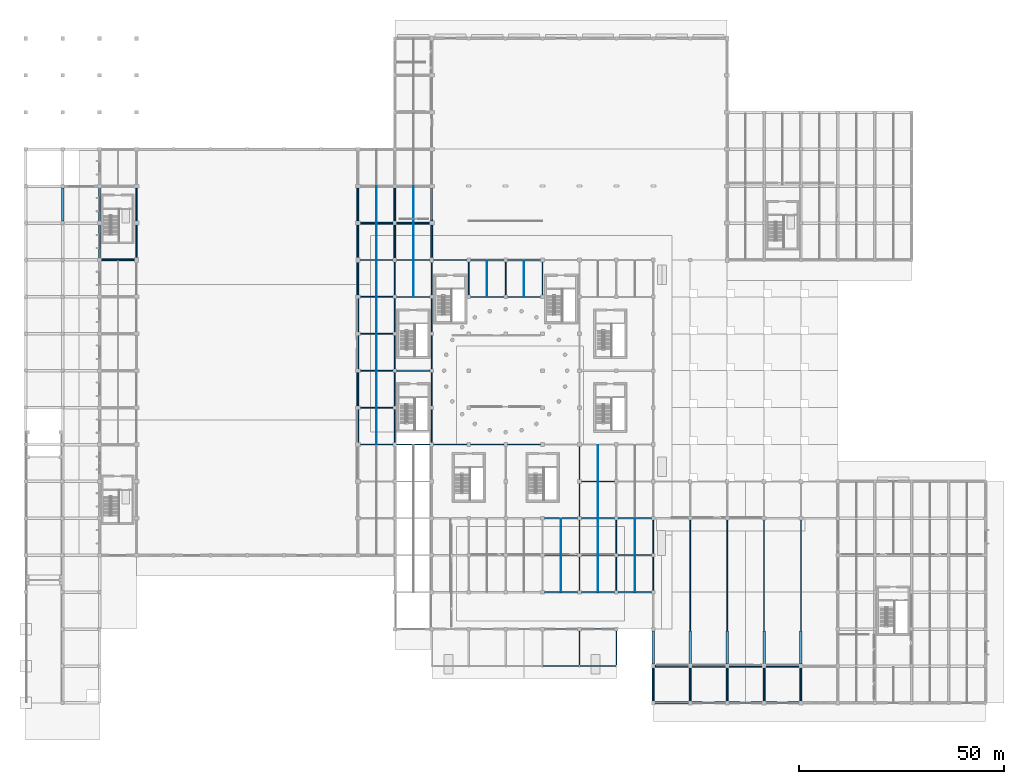
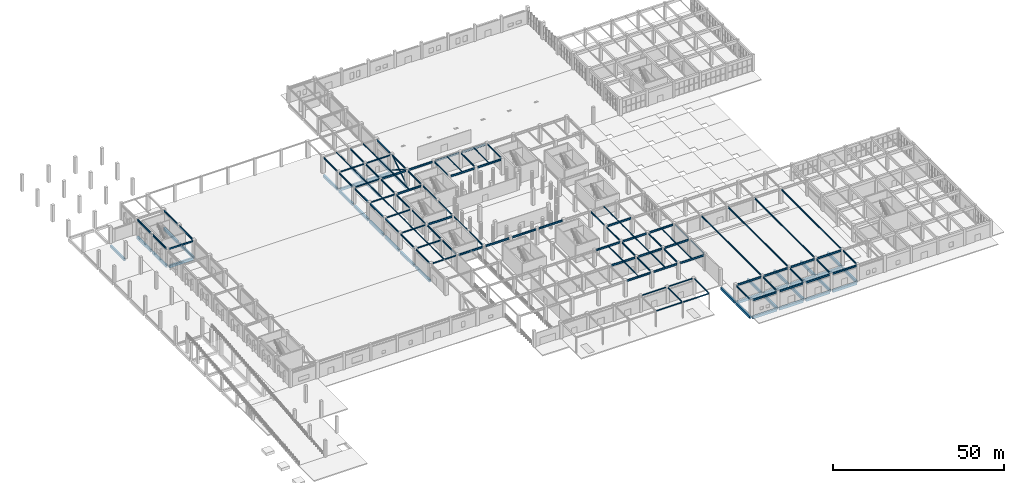
# One storey, part 8 of 91: 147 beams, 2 members.
"""IFC4 building model written with IfcOpenShell, lengths in metres."""

from ifc_helpers import new_model, si_unit, direction, frame, origin, origin_2d, place, context, subcontext, project, spatial, rectangle, hollow_circle, i_section, extrude, material, material_profile, profile_set, type_object, element, save


model = new_model("IFC4")

# Units and contexts
model_context = context("Model", 3, precision=1e-05, world=origin(), true_north=direction((0.0, 1.0)))
body_context = subcontext(model_context, "Body", "Model", "MODEL_VIEW")
ifc_project = project(units=[si_unit("LENGTHUNIT", "METRE"), si_unit("AREAUNIT", "SQUARE_METRE"), si_unit("VOLUMEUNIT", "CUBIC_METRE"), si_unit("PLANEANGLEUNIT", "RADIAN"), si_unit("MASSUNIT", "GRAM", prefix="KILO")], contexts=[model_context])

# Site, building, storey
site_placement = place(None, origin())
site = spatial("IfcSite", under=ifc_project, at=site_placement, CompositionType="ELEMENT")
building_placement = place(site_placement, origin())
building = spatial("IfcBuilding", under=site, at=building_placement, Name="Dornveld Trade and Exhibition Forum", CompositionType="ELEMENT")
storey_placement = place(building_placement, origin())
storey = spatial("IfcBuildingStorey", under=building, at=storey_placement, Name="L00", CompositionType="ELEMENT", Elevation=0.0)

# Beams
ifc_material_1 = material(Name="Steel S355J2", Category="steel")
ifc_material_profile_1 = material_profile(ifc_material_1, i_section(OverallWidth=0.300048828125, OverallDepth=0.300048828125, WebThickness=0.010986328125, FlangeThickness=0.01904296875, FilletRadius=0.027099609375, at=origin_2d()), Name="HEB 300")
ifc_profile_set_1 = profile_set([ifc_material_profile_1], Name="Steel S355J2")
beam_type_1 = type_object("IfcBeamType", Name="BM-CAN-HEB300", PredefinedType="BEAM", material=ifc_profile_set_1)
for number, where, z_axis, x_axis, name in (
    (1, (126.14599609375, 9.0, 5.6298828125), (1.0, 0.0, 0.0), (0.0, 1.0, 0.0), "L00 X-girder 1061"),
    (2, (135.14599609375, 9.0, 5.6298828125), (1.0, 0.0, 0.0), (0.0, 1.0, 0.0), "L00 X-girder 1062"),
):
    element("IfcBeam", number, at=place(storey_placement, frame(where, z_axis=z_axis, x_axis=x_axis)), inside=storey, type_object=beam_type_1, Name=name, PredefinedType="BEAM", context=body_context, shape_type="SweptSolid", body=[
        extrude(i_section(OverallWidth=0.300048828125, OverallDepth=0.300048828125, WebThickness=0.010986328125, FlangeThickness=0.01904296875, FilletRadius=0.027099609375, at=origin_2d()), origin(), (0.0, 0.0, 1.0), 8.7080078125),
    ])
for number, where, z_axis, x_axis, name in (
    (3, (126.446044921875, 18.0, 5.6298828125), (1.0, 0.0, 0.0), (0.0, 1.0, 0.0), "L00 X-girder 1066"),
    (4, (135.446044921875, 18.0, 5.6298828125), (1.0, 0.0, 0.0), (0.0, 1.0, 0.0), "L00 X-girder 1067"),
):
    element("IfcBeam", number, at=place(storey_placement, frame(where, z_axis=z_axis, x_axis=x_axis)), inside=storey, type_object=beam_type_1, Name=name, PredefinedType="BEAM", context=body_context, shape_type="SweptSolid", body=[
        extrude(i_section(OverallWidth=0.300048828125, OverallDepth=0.300048828125, WebThickness=0.010986328125, FlangeThickness=0.01904296875, FilletRadius=0.027099609375, at=origin_2d()), origin(), (0.0, 0.0, 1.0), 8.10791015625),
    ])
for number, where, z_axis, x_axis, name in (
    (5, (135.0, 9.196044921875, 5.6298828125), (0.0, 1.0, 0.0), (-1.0, 0.0, 0.0), "L00 Y-girder 1072"),
    (6, (144.0, 9.196044921875, 5.6298828125), (0.0, 1.0, 0.0), (-1.0, 0.0, 0.0), "L00 Y-girder 1073"),
):
    element("IfcBeam", number, at=place(storey_placement, frame(where, z_axis=z_axis, x_axis=x_axis)), inside=storey, type_object=beam_type_1, Name=name, PredefinedType="BEAM", context=body_context, shape_type="SweptSolid", body=[
        extrude(i_section(OverallWidth=0.300048828125, OverallDepth=0.300048828125, WebThickness=0.010986328125, FlangeThickness=0.01904296875, FilletRadius=0.027099609375, at=origin_2d()), origin(), (0.0, 0.0, 1.0), 8.35791015625),
    ])
ifc_material_2 = material(Name="Concrete C40/50", Category="concrete")
ifc_material_profile_2 = material_profile(ifc_material_2, rectangle(XDim=0.60009765625, YDim=0.89990234375, at=origin_2d()), Name="RC-GB 600x900")
ifc_profile_set_2 = profile_set([ifc_material_profile_2], Name="Concrete C40/50")
beam_type_2 = type_object("IfcBeamType", Name="BM-GB-600x900", PredefinedType="BEAM", material=ifc_profile_set_2)
for number, where, z_axis, x_axis, name in (
    (7, (18.446044921875, 108.0, -0.830078125), (1.0, 0.0, 0.0), (0.0, 1.0, 0.0), "L00 X-girder 405"),
    (8, (81.446044921875, 117.0, -0.830078125), (1.0, 0.0, 0.0), (0.0, 1.0, 0.0), "L00 X-girder 409"),
    (9, (9.0, 117.446044921875, -0.830078125), (0.0, 1.0, 0.0), (-1.0, 0.0, 0.0), "L00 Y-girder 439"),
    (10, (18.0, 108.446044921875, -0.830078125), (0.0, 1.0, 0.0), (-1.0, 0.0, 0.0), "L00 Y-girder 449"),
    (11, (18.0, 117.446044921875, -0.830078125), (0.0, 1.0, 0.0), (-1.0, 0.0, 0.0), "L00 Y-girder 450"),
    (12, (27.0, 108.446044921875, -0.830078125), (0.0, 1.0, 0.0), (-1.0, 0.0, 0.0), "L00 Y-girder 460"),
    (13, (27.0, 117.446044921875, -0.830078125), (0.0, 1.0, 0.0), (-1.0, 0.0, 0.0), "L00 Y-girder 461"),
    (14, (81.0, 63.446044921875, -0.830078125), (0.0, 1.0, 0.0), (-1.0, 0.0, 0.0), "L00 Y-girder 466"),
    (15, (81.0, 72.446044921875, -0.830078125), (0.0, 1.0, 0.0), (-1.0, 0.0, 0.0), "L00 Y-girder 467"),
    (16, (81.0, 81.446044921875, -0.830078125), (0.0, 1.0, 0.0), (-1.0, 0.0, 0.0), "L00 Y-girder 468"),
    (17, (81.0, 90.446044921875, -0.830078125), (0.0, 1.0, 0.0), (-1.0, 0.0, 0.0), "L00 Y-girder 469"),
    (18, (81.0, 99.446044921875, -0.830078125), (0.0, 1.0, 0.0), (-1.0, 0.0, 0.0), "L00 Y-girder 470"),
    (19, (81.0, 108.446044921875, -0.830078125), (0.0, 1.0, 0.0), (-1.0, 0.0, 0.0), "L00 Y-girder 471"),
    (20, (81.0, 117.446044921875, -0.830078125), (0.0, 1.0, 0.0), (-1.0, 0.0, 0.0), "L00 Y-girder 472"),
    (21, (90.0, 108.446044921875, -0.830078125), (0.0, 1.0, 0.0), (-1.0, 0.0, 0.0), "L00 Y-girder 482"),
    (22, (90.0, 117.446044921875, -0.830078125), (0.0, 1.0, 0.0), (-1.0, 0.0, 0.0), "L00 Y-girder 483"),
    (23, (90.446044921875, 117.0, -0.830078125), (1.0, 0.0, 0.0), (0.0, 1.0, 0.0), "L00 X-girder 494"),
    (24, (99.0, 108.446044921875, -0.830078125), (0.0, 1.0, 0.0), (-1.0, 0.0, 0.0), "L00 Y-girder 511"),
    (25, (99.0, 117.446044921875, -0.830078125), (0.0, 1.0, 0.0), (-1.0, 0.0, 0.0), "L00 Y-girder 512"),
    (26, (153.446044921875, 0.0, -0.830078125), (1.0, 0.0, 0.0), (0.0, 1.0, 0.0), "L00 X-girder 567"),
    (27, (162.446044921875, 0.0, -0.830078125), (1.0, 0.0, 0.0), (0.0, 1.0, 0.0), "L00 X-girder 568"),
    (28, (171.446044921875, 0.0, -0.830078125), (1.0, 0.0, 0.0), (0.0, 1.0, 0.0), "L00 X-girder 569"),
    (29, (180.446044921875, 0.0, -0.830078125), (1.0, 0.0, 0.0), (0.0, 1.0, 0.0), "L00 X-girder 570"),
    (30, (153.446044921875, 9.0, -0.830078125), (1.0, 0.0, 0.0), (0.0, 1.0, 0.0), "L00 X-girder 576"),
    (31, (162.446044921875, 9.0, -0.830078125), (1.0, 0.0, 0.0), (0.0, 1.0, 0.0), "L00 X-girder 577"),
    (32, (171.446044921875, 9.0, -0.830078125), (1.0, 0.0, 0.0), (0.0, 1.0, 0.0), "L00 X-girder 578"),
    (33, (180.446044921875, 9.0, -0.830078125), (1.0, 0.0, 0.0), (0.0, 1.0, 0.0), "L00 X-girder 579"),
    (34, (153.0, 0.446044921875, -0.830078125), (0.0, 1.0, 0.0), (-1.0, 0.0, 0.0), "L00 Y-girder 611"),
    (35, (153.0, 9.446044921875, -0.830078125), (0.0, 1.0, 0.0), (-1.0, 0.0, 0.0), "L00 Y-girder 612"),
    (36, (162.0, 0.446044921875, -0.830078125), (0.0, 1.0, 0.0), (-1.0, 0.0, 0.0), "L00 Y-girder 615"),
    (37, (162.0, 9.446044921875, -0.830078125), (0.0, 1.0, 0.0), (-1.0, 0.0, 0.0), "L00 Y-girder 616"),
    (38, (171.0, 0.446044921875, -0.830078125), (0.0, 1.0, 0.0), (-1.0, 0.0, 0.0), "L00 Y-girder 619"),
    (39, (171.0, 9.446044921875, -0.830078125), (0.0, 1.0, 0.0), (-1.0, 0.0, 0.0), "L00 Y-girder 620"),
    (40, (180.0, 0.446044921875, -0.830078125), (0.0, 1.0, 0.0), (-1.0, 0.0, 0.0), "L00 Y-girder 623"),
    (41, (180.0, 9.446044921875, -0.830078125), (0.0, 1.0, 0.0), (-1.0, 0.0, 0.0), "L00 Y-girder 624"),
    (42, (189.0, 0.446044921875, -0.830078125), (0.0, 1.0, 0.0), (-1.0, 0.0, 0.0), "L00 Y-girder 627"),
    (43, (189.0, 9.446044921875, -0.830078125), (0.0, 1.0, 0.0), (-1.0, 0.0, 0.0), "L00 Y-girder 628"),
):
    element("IfcBeam", number, at=place(storey_placement, frame(where, z_axis=z_axis, x_axis=x_axis)), inside=storey, type_object=beam_type_2, Name=name, PredefinedType="BEAM", context=body_context, shape_type="SweptSolid", body=[
        extrude(rectangle(XDim=0.60009765625, YDim=0.89990234375, at=origin_2d()), origin(), (0.0, 0.0, 1.0), 8.10791015625),
    ])
ifc_material_3 = material(Name="Steel S355J2", Category="steel")
ifc_material_profile_3 = material_profile(ifc_material_3, i_section(OverallWidth=0.300048828125, OverallDepth=0.5, WebThickness=0.014404296875, FlangeThickness=0.028076171875, FilletRadius=0.027099609375, at=origin_2d()), Name="HEB 500")
ifc_profile_set_3 = profile_set([ifc_material_profile_3], Name="Steel S355J2")
beam_type_3 = type_object("IfcBeamType", Name="BM-GIR-HEB500", PredefinedType="USERDEFINED", material=ifc_profile_set_3)
for number, where, z_axis, x_axis, name in (
    (44, (90.0, 108.446044921875, 5.449951171875), (0.0, 1.0, 0.0), (-1.0, 0.0, 0.0), "L00 Y-girder 781"),
    (45, (90.0, 117.446044921875, 5.449951171875), (0.0, 1.0, 0.0), (-1.0, 0.0, 0.0), "L00 Y-girder 782"),
):
    element("IfcBeam", number, at=place(storey_placement, frame(where, z_axis=z_axis, x_axis=x_axis)), inside=storey, type_object=beam_type_3, Name=name, ObjectType="GIRDER", PredefinedType="USERDEFINED", context=body_context, shape_type="SweptSolid", body=[
        extrude(i_section(OverallWidth=0.300048828125, OverallDepth=0.5, WebThickness=0.014404296875, FlangeThickness=0.028076171875, FilletRadius=0.027099609375, at=origin_2d()), origin(), (0.0, 0.0, 1.0), 8.10791015625),
    ])
beam_1_placement = place(storey_placement, frame((99.0, 108.595947265625, 5.449951171875), z_axis=(0.0, 1.0, 0.0), x_axis=(-1.0, 0.0, 0.0)))
element("IfcBeam", 46, at=beam_1_placement, inside=storey, type_object=beam_type_3, Name="L00 Y-girder 787", ObjectType="GIRDER", PredefinedType="USERDEFINED", context=body_context, shape_type="SweptSolid", body=[
    extrude(i_section(OverallWidth=0.300048828125, OverallDepth=0.5, WebThickness=0.014404296875, FlangeThickness=0.028076171875, FilletRadius=0.027099609375, at=origin_2d()), origin(), (0.0, 0.0, 1.0), 7.9580078125),
])
for number, where, z_axis, x_axis, name in (
    (47, (99.0, 117.446044921875, 5.449951171875), (0.0, 1.0, 0.0), (-1.0, 0.0, 0.0), "L00 Y-girder 788"),
    (48, (81.0, 63.446044921875, 5.449951171875), (0.0, 1.0, 0.0), (-1.0, 0.0, 0.0), "L00 Y-girder 851"),
    (49, (81.0, 72.446044921875, 5.449951171875), (0.0, 1.0, 0.0), (-1.0, 0.0, 0.0), "L00 Y-girder 852"),
    (50, (81.0, 81.446044921875, 5.449951171875), (0.0, 1.0, 0.0), (-1.0, 0.0, 0.0), "L00 Y-girder 853"),
    (51, (81.0, 90.446044921875, 5.449951171875), (0.0, 1.0, 0.0), (-1.0, 0.0, 0.0), "L00 Y-girder 854"),
):
    element("IfcBeam", number, at=place(storey_placement, frame(where, z_axis=z_axis, x_axis=x_axis)), inside=storey, type_object=beam_type_3, Name=name, ObjectType="GIRDER", PredefinedType="USERDEFINED", context=body_context, shape_type="SweptSolid", body=[
        extrude(i_section(OverallWidth=0.300048828125, OverallDepth=0.5, WebThickness=0.014404296875, FlangeThickness=0.028076171875, FilletRadius=0.027099609375, at=origin_2d()), origin(), (0.0, 0.0, 1.0), 8.10791015625),
    ])
for number, where, z_axis, x_axis, name in (
    (52, (81.0, 99.446044921875, 5.449951171875), (0.0, 1.0, 0.0), (-1.0, 0.0, 0.0), "L00 Y-girder 855"),
    (53, (81.0, 108.595947265625, 5.449951171875), (0.0, 1.0, 0.0), (-1.0, 0.0, 0.0), "L00 Y-girder 856"),
):
    element("IfcBeam", number, at=place(storey_placement, frame(where, z_axis=z_axis, x_axis=x_axis)), inside=storey, type_object=beam_type_3, Name=name, ObjectType="GIRDER", PredefinedType="USERDEFINED", context=body_context, shape_type="SweptSolid", body=[
        extrude(i_section(OverallWidth=0.300048828125, OverallDepth=0.5, WebThickness=0.014404296875, FlangeThickness=0.028076171875, FilletRadius=0.027099609375, at=origin_2d()), origin(), (0.0, 0.0, 1.0), 7.9580078125),
    ])
beam_2_placement = place(storey_placement, frame((81.0, 117.446044921875, 5.449951171875), z_axis=(0.0, 1.0, 0.0), x_axis=(-1.0, 0.0, 0.0)))
element("IfcBeam", 54, at=beam_2_placement, inside=storey, type_object=beam_type_3, Name="L00 Y-girder 857", ObjectType="GIRDER", PredefinedType="USERDEFINED", context=body_context, shape_type="SweptSolid", body=[
    extrude(i_section(OverallWidth=0.300048828125, OverallDepth=0.5, WebThickness=0.014404296875, FlangeThickness=0.028076171875, FilletRadius=0.027099609375, at=origin_2d()), origin(), (0.0, 0.0, 1.0), 8.10791015625),
])
ifc_material_4 = material(Name="Steel S355J2", Category="steel")
ifc_material_profile_4 = material_profile(ifc_material_4, i_section(OverallWidth=0.300048828125, OverallDepth=0.64990234375, WebThickness=0.01611328125, FlangeThickness=0.031005859375, FilletRadius=0.027099609375, at=origin_2d()), Name="HEB 650")
ifc_profile_set_4 = profile_set([ifc_material_profile_4], Name="Steel S355J2")
beam_type_4 = type_object("IfcBeamType", Name="BM-GIR-HEB650", PredefinedType="USERDEFINED", material=ifc_profile_set_4)
for number, where, z_axis, x_axis, name in (
    (55, (126.446044921875, 27.0, 5.375), (1.0, 0.0, 0.0), (0.0, 1.0, 0.0), "L00 X-girder 655"),
    (56, (135.446044921875, 27.0, 5.375), (1.0, 0.0, 0.0), (0.0, 1.0, 0.0), "L00 X-girder 656"),
    (57, (144.446044921875, 27.0, 5.375), (1.0, 0.0, 0.0), (0.0, 1.0, 0.0), "L00 X-girder 657"),
    (58, (126.446044921875, 36.0, 5.375), (1.0, 0.0, 0.0), (0.0, 1.0, 0.0), "L00 X-girder 662"),
    (59, (135.446044921875, 36.0, 5.375), (1.0, 0.0, 0.0), (0.0, 1.0, 0.0), "L00 X-girder 663"),
    (60, (144.446044921875, 36.0, 5.375), (1.0, 0.0, 0.0), (0.0, 1.0, 0.0), "L00 X-girder 664"),
    (61, (126.446044921875, 45.0, 5.375), (1.0, 0.0, 0.0), (0.0, 1.0, 0.0), "L00 X-girder 669"),
    (62, (135.446044921875, 45.0, 5.375), (1.0, 0.0, 0.0), (0.0, 1.0, 0.0), "L00 X-girder 670"),
    (63, (144.446044921875, 45.0, 5.375), (1.0, 0.0, 0.0), (0.0, 1.0, 0.0), "L00 X-girder 671"),
    (64, (135.446044921875, 54.0, 5.375), (1.0, 0.0, 0.0), (0.0, 1.0, 0.0), "L00 X-girder 673"),
    (65, (90.446044921875, 63.0, 5.375), (1.0, 0.0, 0.0), (0.0, 1.0, 0.0), "L00 X-girder 675"),
    (66, (99.446044921875, 63.0, 5.375), (1.0, 0.0, 0.0), (0.0, 1.0, 0.0), "L00 X-girder 676"),
    (67, (108.446044921875, 63.0, 5.375), (1.0, 0.0, 0.0), (0.0, 1.0, 0.0), "L00 X-girder 677"),
    (68, (117.446044921875, 63.0, 5.375), (1.0, 0.0, 0.0), (0.0, 1.0, 0.0), "L00 X-girder 678"),
    (69, (90.446044921875, 81.0, 5.375), (1.0, 0.0, 0.0), (0.0, 1.0, 0.0), "L00 X-girder 682"),
    (70, (90.446044921875, 99.0, 5.375), (1.0, 0.0, 0.0), (0.0, 1.0, 0.0), "L00 X-girder 685"),
    (71, (108.446044921875, 99.0, 5.375), (1.0, 0.0, 0.0), (0.0, 1.0, 0.0), "L00 X-girder 686"),
    (72, (117.446044921875, 99.0, 5.375), (1.0, 0.0, 0.0), (0.0, 1.0, 0.0), "L00 X-girder 687"),
    (73, (90.446044921875, 108.0, 5.375), (1.0, 0.0, 0.0), (0.0, 1.0, 0.0), "L00 X-girder 690"),
    (74, (99.446044921875, 108.0, 5.375), (1.0, 0.0, 0.0), (0.0, 1.0, 0.0), "L00 X-girder 691"),
    (75, (108.446044921875, 108.0, 5.375), (1.0, 0.0, 0.0), (0.0, 1.0, 0.0), "L00 X-girder 692"),
    (76, (117.446044921875, 108.0, 5.375), (1.0, 0.0, 0.0), (0.0, 1.0, 0.0), "L00 X-girder 693"),
    (77, (18.0, 108.446044921875, 5.375), (0.0, 1.0, 0.0), (-1.0, 0.0, 0.0), "L00 Y-girder 816"),
    (78, (18.0, 117.446044921875, 5.375), (0.0, 1.0, 0.0), (-1.0, 0.0, 0.0), "L00 Y-girder 817"),
):
    element("IfcBeam", number, at=place(storey_placement, frame(where, z_axis=z_axis, x_axis=x_axis)), inside=storey, type_object=beam_type_4, Name=name, ObjectType="GIRDER", PredefinedType="USERDEFINED", context=body_context, shape_type="SweptSolid", body=[
        extrude(i_section(OverallWidth=0.300048828125, OverallDepth=0.64990234375, WebThickness=0.01611328125, FlangeThickness=0.031005859375, FilletRadius=0.027099609375, at=origin_2d()), origin(), (0.0, 0.0, 1.0), 8.10791015625),
    ])
beam_3_placement = place(storey_placement, frame((27.0, 108.595947265625, 5.375), z_axis=(0.0, 1.0, 0.0), x_axis=(-1.0, 0.0, 0.0)))
element("IfcBeam", 79, at=beam_3_placement, inside=storey, type_object=beam_type_4, Name="L00 Y-girder 827", ObjectType="GIRDER", PredefinedType="USERDEFINED", context=body_context, shape_type="SweptSolid", body=[
    extrude(i_section(OverallWidth=0.300048828125, OverallDepth=0.64990234375, WebThickness=0.01611328125, FlangeThickness=0.031005859375, FilletRadius=0.027099609375, at=origin_2d()), origin(), (0.0, 0.0, 1.0), 7.9580078125),
])
for number, where, z_axis, x_axis, name in (
    (80, (27.0, 117.446044921875, 5.375), (0.0, 1.0, 0.0), (-1.0, 0.0, 0.0), "L00 Y-girder 828"),
    (81, (153.446044921875, 0.0, 5.375), (1.0, 0.0, 0.0), (0.0, 1.0, 0.0), "L00 X-girder 1021"),
    (82, (162.446044921875, 0.0, 5.375), (1.0, 0.0, 0.0), (0.0, 1.0, 0.0), "L00 X-girder 1022"),
    (83, (171.446044921875, 0.0, 5.375), (1.0, 0.0, 0.0), (0.0, 1.0, 0.0), "L00 X-girder 1023"),
    (84, (180.446044921875, 0.0, 5.375), (1.0, 0.0, 0.0), (0.0, 1.0, 0.0), "L00 X-girder 1024"),
    (85, (153.446044921875, 9.0, 5.375), (1.0, 0.0, 0.0), (0.0, 1.0, 0.0), "L00 X-girder 1026"),
    (86, (162.446044921875, 9.0, 5.375), (1.0, 0.0, 0.0), (0.0, 1.0, 0.0), "L00 X-girder 1027"),
    (87, (171.446044921875, 9.0, 5.375), (1.0, 0.0, 0.0), (0.0, 1.0, 0.0), "L00 X-girder 1028"),
    (88, (180.446044921875, 9.0, 5.375), (1.0, 0.0, 0.0), (0.0, 1.0, 0.0), "L00 X-girder 1029"),
):
    element("IfcBeam", number, at=place(storey_placement, frame(where, z_axis=z_axis, x_axis=x_axis)), inside=storey, type_object=beam_type_4, Name=name, ObjectType="GIRDER", PredefinedType="USERDEFINED", context=body_context, shape_type="SweptSolid", body=[
        extrude(i_section(OverallWidth=0.300048828125, OverallDepth=0.64990234375, WebThickness=0.01611328125, FlangeThickness=0.031005859375, FilletRadius=0.027099609375, at=origin_2d()), origin(), (0.0, 0.0, 1.0), 8.10791015625),
    ])
ifc_material_5 = material(Name="Steel S355J2", Category="steel")
ifc_material_profile_5 = material_profile(ifc_material_5, i_section(OverallWidth=0.1201171875, OverallDepth=0.239990234375, WebThickness=0.006103515625, FlangeThickness=0.009765625, FilletRadius=0.014892578125, at=origin_2d()), Name="IPE 240")
ifc_profile_set_5 = profile_set([ifc_material_profile_5], Name="Steel S355J2")
beam_type_5 = type_object("IfcBeamType", Name="BM-JOIST-240", PredefinedType="JOIST", material=ifc_profile_set_5)
for number, where, z_axis, x_axis, name in (
    (89, (94.5, 99.14697265625, 5.580078125), (0.0, 1.0, 0.0), (-1.0, 0.0, 0.0), "L00 secondary joist 753"),
    (90, (112.5, 99.14697265625, 5.580078125), (0.0, 1.0, 0.0), (-1.0, 0.0, 0.0), "L00 secondary joist 758"),
    (91, (121.5, 99.14697265625, 5.580078125), (0.0, 1.0, 0.0), (-1.0, 0.0, 0.0), "L00 secondary joist 761"),
    (92, (130.5, 27.14697265625, 5.580078125), (0.0, 1.0, 0.0), (-1.0, 0.0, 0.0), "L00 secondary joist 762"),
    (93, (130.5, 36.14697265625, 5.580078125), (0.0, 1.0, 0.0), (-1.0, 0.0, 0.0), "L00 secondary joist 763"),
    (94, (139.5, 27.14697265625, 5.580078125), (0.0, 1.0, 0.0), (-1.0, 0.0, 0.0), "L00 secondary joist 764"),
    (95, (139.5, 36.14697265625, 5.580078125), (0.0, 1.0, 0.0), (-1.0, 0.0, 0.0), "L00 secondary joist 765"),
    (96, (139.5, 45.14697265625, 5.580078125), (0.0, 1.0, 0.0), (-1.0, 0.0, 0.0), "L00 secondary joist 766"),
    (97, (139.5, 54.14697265625, 5.580078125), (0.0, 1.0, 0.0), (-1.0, 0.0, 0.0), "L00 secondary joist 767"),
    (98, (148.5, 27.14697265625, 5.580078125), (0.0, 1.0, 0.0), (-1.0, 0.0, 0.0), "L00 secondary joist 769"),
    (99, (148.5, 36.14697265625, 5.580078125), (0.0, 1.0, 0.0), (-1.0, 0.0, 0.0), "L00 secondary joist 770"),
):
    element("IfcBeam", number, at=place(storey_placement, frame(where, z_axis=z_axis, x_axis=x_axis)), inside=storey, type_object=beam_type_5, Name=name, PredefinedType="JOIST", context=body_context, shape_type="SweptSolid", body=[
        extrude(i_section(OverallWidth=0.1201171875, OverallDepth=0.239990234375, WebThickness=0.006103515625, FlangeThickness=0.009765625, FilletRadius=0.014892578125, at=origin_2d()), origin(), (0.0, 0.0, 1.0), 8.7060546875),
    ])
beam_4_placement = place(storey_placement, frame((94.5, 108.14697265625, 5.580078125), z_axis=(0.0, 1.0, 0.0), x_axis=(-1.0, 0.0, 0.0)))
element("IfcBeam", 100, at=beam_4_placement, inside=storey, type_object=beam_type_5, Name="L00 secondary joist 793", PredefinedType="JOIST", context=body_context, shape_type="SweptSolid", body=[
    extrude(i_section(OverallWidth=0.1201171875, OverallDepth=0.239990234375, WebThickness=0.006103515625, FlangeThickness=0.009765625, FilletRadius=0.014892578125, at=origin_2d()), origin(), (0.0, 0.0, 1.0), 8.760986328125),
])
for number, where, z_axis, x_axis, name in (
    (101, (94.5, 117.092041015625, 5.580078125), (0.0, 1.0, 0.0), (-1.0, 0.0, 0.0), "L00 secondary joist 794"),
    (102, (85.5, 63.092041015625, 5.580078125), (0.0, 1.0, 0.0), (-1.0, 0.0, 0.0), "L00 secondary joist 870"),
    (103, (85.5, 72.092041015625, 5.580078125), (0.0, 1.0, 0.0), (-1.0, 0.0, 0.0), "L00 secondary joist 871"),
    (104, (85.5, 81.092041015625, 5.580078125), (0.0, 1.0, 0.0), (-1.0, 0.0, 0.0), "L00 secondary joist 872"),
    (105, (85.5, 90.092041015625, 5.580078125), (0.0, 1.0, 0.0), (-1.0, 0.0, 0.0), "L00 secondary joist 873"),
    (106, (85.5, 99.092041015625, 5.580078125), (0.0, 1.0, 0.0), (-1.0, 0.0, 0.0), "L00 secondary joist 874"),
    (107, (85.5, 108.092041015625, 5.580078125), (0.0, 1.0, 0.0), (-1.0, 0.0, 0.0), "L00 secondary joist 875"),
    (108, (85.5, 117.092041015625, 5.580078125), (0.0, 1.0, 0.0), (-1.0, 0.0, 0.0), "L00 secondary joist 876"),
):
    element("IfcBeam", number, at=place(storey_placement, frame(where, z_axis=z_axis, x_axis=x_axis)), inside=storey, type_object=beam_type_5, Name=name, PredefinedType="JOIST", context=body_context, shape_type="SweptSolid", body=[
        extrude(i_section(OverallWidth=0.1201171875, OverallDepth=0.239990234375, WebThickness=0.006103515625, FlangeThickness=0.009765625, FilletRadius=0.014892578125, at=origin_2d()), origin(), (0.0, 0.0, 1.0), 8.81591796875),
    ])
ifc_material_6 = material(Name="Steel S355J2", Category="steel")
ifc_material_profile_6 = material_profile(ifc_material_6, i_section(OverallWidth=0.18994140625, OverallDepth=0.449951171875, WebThickness=0.009521484375, FlangeThickness=0.0146484375, FilletRadius=0.02099609375, at=origin_2d()), Name="IPE 450")
ifc_profile_set_6 = profile_set([ifc_material_profile_6], Name="Steel S355J2")
beam_type_6 = type_object("IfcBeamType", Name="BM-SEC-450", PredefinedType="BEAM", material=ifc_profile_set_6)
for number, where, z_axis, x_axis, name in (
    (109, (90.446044921875, 117.0, 5.47509765625), (1.0, 0.0, 0.0), (0.0, 1.0, 0.0), "L00 X-girder 775"),
    (110, (81.595947265625, 63.0, 5.47509765625), (1.0, 0.0, 0.0), (0.0, 1.0, 0.0), "L00 X-girder 839"),
    (111, (81.595947265625, 72.0, 5.47509765625), (1.0, 0.0, 0.0), (0.0, 1.0, 0.0), "L00 X-girder 840"),
    (112, (81.595947265625, 81.0, 5.47509765625), (1.0, 0.0, 0.0), (0.0, 1.0, 0.0), "L00 X-girder 841"),
    (113, (81.595947265625, 90.0, 5.47509765625), (1.0, 0.0, 0.0), (0.0, 1.0, 0.0), "L00 X-girder 842"),
    (114, (81.595947265625, 99.0, 5.47509765625), (1.0, 0.0, 0.0), (0.0, 1.0, 0.0), "L00 X-girder 843"),
):
    element("IfcBeam", number, at=place(storey_placement, frame(where, z_axis=z_axis, x_axis=x_axis)), inside=storey, type_object=beam_type_6, Name=name, PredefinedType="BEAM", context=body_context, shape_type="SweptSolid", body=[
        extrude(i_section(OverallWidth=0.18994140625, OverallDepth=0.449951171875, WebThickness=0.009521484375, FlangeThickness=0.0146484375, FilletRadius=0.02099609375, at=origin_2d()), origin(), (0.0, 0.0, 1.0), 7.9580078125),
    ])
beam_5_placement = place(storey_placement, frame((81.446044921875, 108.0, 5.47509765625), z_axis=(1.0, 0.0, 0.0), x_axis=(0.0, 1.0, 0.0)))
element("IfcBeam", 115, at=beam_5_placement, inside=storey, type_object=beam_type_6, Name="L00 X-girder 844", PredefinedType="BEAM", context=body_context, shape_type="SweptSolid", body=[
    extrude(i_section(OverallWidth=0.18994140625, OverallDepth=0.449951171875, WebThickness=0.009521484375, FlangeThickness=0.0146484375, FilletRadius=0.02099609375, at=origin_2d()), origin(), (0.0, 0.0, 1.0), 8.10791015625),
])
beam_6_placement = place(storey_placement, frame((81.595947265625, 117.0, 5.47509765625), z_axis=(1.0, 0.0, 0.0), x_axis=(0.0, 1.0, 0.0)))
element("IfcBeam", 116, at=beam_6_placement, inside=storey, type_object=beam_type_6, Name="L00 X-girder 845", PredefinedType="BEAM", context=body_context, shape_type="SweptSolid", body=[
    extrude(i_section(OverallWidth=0.18994140625, OverallDepth=0.449951171875, WebThickness=0.009521484375, FlangeThickness=0.0146484375, FilletRadius=0.02099609375, at=origin_2d()), origin(), (0.0, 0.0, 1.0), 7.9580078125),
])
ifc_material_7 = material(Name="Steel S355J2", Category="steel")
ifc_material_profile_7 = material_profile(ifc_material_7, i_section(OverallWidth=0.2099609375, OverallDepth=0.550048828125, WebThickness=0.010986328125, FlangeThickness=0.01708984375, FilletRadius=0.02392578125, at=origin_2d()), Name="IPE 550")
ifc_profile_set_7 = profile_set([ifc_material_profile_7], Name="Steel S355J2")
beam_type_7 = type_object("IfcBeamType", Name="BM-SEC-550", PredefinedType="BEAM", material=ifc_profile_set_7)
for number, where, z_axis, x_axis, name in (
    (117, (90.0, 63.446044921875, 5.425048828125), (0.0, 1.0, 0.0), (-1.0, 0.0, 0.0), "L00 Y-girder 701"),
    (118, (90.0, 72.446044921875, 5.425048828125), (0.0, 1.0, 0.0), (-1.0, 0.0, 0.0), "L00 Y-girder 702"),
    (119, (90.0, 81.446044921875, 5.425048828125), (0.0, 1.0, 0.0), (-1.0, 0.0, 0.0), "L00 Y-girder 703"),
    (120, (90.0, 90.446044921875, 5.425048828125), (0.0, 1.0, 0.0), (-1.0, 0.0, 0.0), "L00 Y-girder 704"),
    (121, (90.0, 99.446044921875, 5.425048828125), (0.0, 1.0, 0.0), (-1.0, 0.0, 0.0), "L00 Y-girder 705"),
    (122, (99.0, 63.446044921875, 5.425048828125), (0.0, 1.0, 0.0), (-1.0, 0.0, 0.0), "L00 Y-girder 710"),
    (123, (99.0, 72.446044921875, 5.425048828125), (0.0, 1.0, 0.0), (-1.0, 0.0, 0.0), "L00 Y-girder 711"),
    (124, (99.0, 81.446044921875, 5.425048828125), (0.0, 1.0, 0.0), (-1.0, 0.0, 0.0), "L00 Y-girder 712"),
    (125, (99.0, 90.446044921875, 5.425048828125), (0.0, 1.0, 0.0), (-1.0, 0.0, 0.0), "L00 Y-girder 713"),
):
    element("IfcBeam", number, at=place(storey_placement, frame(where, z_axis=z_axis, x_axis=x_axis)), inside=storey, type_object=beam_type_7, Name=name, PredefinedType="BEAM", context=body_context, shape_type="SweptSolid", body=[
        extrude(i_section(OverallWidth=0.2099609375, OverallDepth=0.550048828125, WebThickness=0.010986328125, FlangeThickness=0.01708984375, FilletRadius=0.02392578125, at=origin_2d()), origin(), (0.0, 0.0, 1.0), 8.10791015625),
    ])
beam_7_placement = place(storey_placement, frame((99.0, 99.446044921875, 5.425048828125), z_axis=(0.0, 1.0, 0.0), x_axis=(-1.0, 0.0, 0.0)))
element("IfcBeam", 126, at=beam_7_placement, inside=storey, type_object=beam_type_7, Name="L00 Y-girder 714", PredefinedType="BEAM", context=body_context, shape_type="SweptSolid", body=[
    extrude(i_section(OverallWidth=0.2099609375, OverallDepth=0.550048828125, WebThickness=0.010986328125, FlangeThickness=0.01708984375, FilletRadius=0.02392578125, at=origin_2d()), origin(), (0.0, 0.0, 1.0), 7.9580078125),
])
for number, where, z_axis, x_axis, name in (
    (127, (108.0, 99.446044921875, 5.425048828125), (0.0, 1.0, 0.0), (-1.0, 0.0, 0.0), "L00 Y-girder 717"),
    (128, (117.0, 99.446044921875, 5.425048828125), (0.0, 1.0, 0.0), (-1.0, 0.0, 0.0), "L00 Y-girder 722"),
    (129, (126.0, 99.446044921875, 5.425048828125), (0.0, 1.0, 0.0), (-1.0, 0.0, 0.0), "L00 Y-girder 725"),
    (130, (135.0, 27.446044921875, 5.425048828125), (0.0, 1.0, 0.0), (-1.0, 0.0, 0.0), "L00 Y-girder 726"),
    (131, (135.0, 36.446044921875, 5.425048828125), (0.0, 1.0, 0.0), (-1.0, 0.0, 0.0), "L00 Y-girder 727"),
    (132, (135.0, 45.446044921875, 5.425048828125), (0.0, 1.0, 0.0), (-1.0, 0.0, 0.0), "L00 Y-girder 728"),
    (133, (135.0, 54.446044921875, 5.425048828125), (0.0, 1.0, 0.0), (-1.0, 0.0, 0.0), "L00 Y-girder 729"),
    (134, (144.0, 27.446044921875, 5.425048828125), (0.0, 1.0, 0.0), (-1.0, 0.0, 0.0), "L00 Y-girder 735"),
    (135, (144.0, 36.446044921875, 5.425048828125), (0.0, 1.0, 0.0), (-1.0, 0.0, 0.0), "L00 Y-girder 736"),
    (136, (153.0, 27.446044921875, 5.425048828125), (0.0, 1.0, 0.0), (-1.0, 0.0, 0.0), "L00 Y-girder 740"),
    (137, (153.0, 36.446044921875, 5.425048828125), (0.0, 1.0, 0.0), (-1.0, 0.0, 0.0), "L00 Y-girder 741"),
    (138, (18.446044921875, 108.0, 5.425048828125), (1.0, 0.0, 0.0), (0.0, 1.0, 0.0), "L00 X-girder 805"),
    (139, (153.0, 0.446044921875, 5.425048828125), (0.0, 1.0, 0.0), (-1.0, 0.0, 0.0), "L00 Y-girder 1041"),
    (140, (162.0, 0.446044921875, 5.425048828125), (0.0, 1.0, 0.0), (-1.0, 0.0, 0.0), "L00 Y-girder 1043"),
):
    element("IfcBeam", number, at=place(storey_placement, frame(where, z_axis=z_axis, x_axis=x_axis)), inside=storey, type_object=beam_type_7, Name=name, PredefinedType="BEAM", context=body_context, shape_type="SweptSolid", body=[
        extrude(i_section(OverallWidth=0.2099609375, OverallDepth=0.550048828125, WebThickness=0.010986328125, FlangeThickness=0.01708984375, FilletRadius=0.02392578125, at=origin_2d()), origin(), (0.0, 0.0, 1.0), 8.10791015625),
    ])
beam_8_placement = place(storey_placement, frame((162.0, 9.446044921875, 5.425048828125), z_axis=(0.0, 1.0, 0.0), x_axis=(-1.0, 0.0, 0.0)))
element("IfcBeam", 141, at=beam_8_placement, inside=storey, type_object=beam_type_7, Name="L00 Y-girder 1044", PredefinedType="BEAM", context=body_context, shape_type="SweptSolid", body=[
    extrude(i_section(OverallWidth=0.2099609375, OverallDepth=0.550048828125, WebThickness=0.010986328125, FlangeThickness=0.01708984375, FilletRadius=0.02392578125, at=origin_2d()), origin(), (0.0, 0.0, 1.0), 35.10791015625),
])
beam_9_placement = place(storey_placement, frame((171.0, 0.446044921875, 5.425048828125), z_axis=(0.0, 1.0, 0.0), x_axis=(-1.0, 0.0, 0.0)))
element("IfcBeam", 142, at=beam_9_placement, inside=storey, type_object=beam_type_7, Name="L00 Y-girder 1046", PredefinedType="BEAM", context=body_context, shape_type="SweptSolid", body=[
    extrude(i_section(OverallWidth=0.2099609375, OverallDepth=0.550048828125, WebThickness=0.010986328125, FlangeThickness=0.01708984375, FilletRadius=0.02392578125, at=origin_2d()), origin(), (0.0, 0.0, 1.0), 8.10791015625),
])
beam_10_placement = place(storey_placement, frame((171.0, 9.446044921875, 5.425048828125), z_axis=(0.0, 1.0, 0.0), x_axis=(-1.0, 0.0, 0.0)))
element("IfcBeam", 143, at=beam_10_placement, inside=storey, type_object=beam_type_7, Name="L00 Y-girder 1047", PredefinedType="BEAM", context=body_context, shape_type="SweptSolid", body=[
    extrude(i_section(OverallWidth=0.2099609375, OverallDepth=0.550048828125, WebThickness=0.010986328125, FlangeThickness=0.01708984375, FilletRadius=0.02392578125, at=origin_2d()), origin(), (0.0, 0.0, 1.0), 35.10791015625),
])
beam_11_placement = place(storey_placement, frame((180.0, 0.446044921875, 5.425048828125), z_axis=(0.0, 1.0, 0.0), x_axis=(-1.0, 0.0, 0.0)))
element("IfcBeam", 144, at=beam_11_placement, inside=storey, type_object=beam_type_7, Name="L00 Y-girder 1049", PredefinedType="BEAM", context=body_context, shape_type="SweptSolid", body=[
    extrude(i_section(OverallWidth=0.2099609375, OverallDepth=0.550048828125, WebThickness=0.010986328125, FlangeThickness=0.01708984375, FilletRadius=0.02392578125, at=origin_2d()), origin(), (0.0, 0.0, 1.0), 8.10791015625),
])
beam_12_placement = place(storey_placement, frame((180.0, 9.446044921875, 5.425048828125), z_axis=(0.0, 1.0, 0.0), x_axis=(-1.0, 0.0, 0.0)))
element("IfcBeam", 145, at=beam_12_placement, inside=storey, type_object=beam_type_7, Name="L00 Y-girder 1050", PredefinedType="BEAM", context=body_context, shape_type="SweptSolid", body=[
    extrude(i_section(OverallWidth=0.2099609375, OverallDepth=0.550048828125, WebThickness=0.010986328125, FlangeThickness=0.01708984375, FilletRadius=0.02392578125, at=origin_2d()), origin(), (0.0, 0.0, 1.0), 35.10791015625),
])
beam_13_placement = place(storey_placement, frame((189.0, 0.446044921875, 5.425048828125), z_axis=(0.0, 1.0, 0.0), x_axis=(-1.0, 0.0, 0.0)))
element("IfcBeam", 146, at=beam_13_placement, inside=storey, type_object=beam_type_7, Name="L00 Y-girder 1052", PredefinedType="BEAM", context=body_context, shape_type="SweptSolid", body=[
    extrude(i_section(OverallWidth=0.2099609375, OverallDepth=0.550048828125, WebThickness=0.010986328125, FlangeThickness=0.01708984375, FilletRadius=0.02392578125, at=origin_2d()), origin(), (0.0, 0.0, 1.0), 8.10791015625),
])
beam_14_placement = place(storey_placement, frame((189.0, 9.446044921875, 5.425048828125), z_axis=(0.0, 1.0, 0.0), x_axis=(-1.0, 0.0, 0.0)))
element("IfcBeam", 147, at=beam_14_placement, inside=storey, type_object=beam_type_7, Name="L00 Y-girder 1053", PredefinedType="BEAM", context=body_context, shape_type="SweptSolid", body=[
    extrude(i_section(OverallWidth=0.2099609375, OverallDepth=0.550048828125, WebThickness=0.010986328125, FlangeThickness=0.01708984375, FilletRadius=0.02392578125, at=origin_2d()), origin(), (0.0, 0.0, 1.0), 35.10791015625),
])

# Members
ifc_material_8 = material(Name="Steel S355J2", Category="steel")
ifc_material_profile_8 = material_profile(ifc_material_8, hollow_circle(Radius=0.109619140625, WallThickness=0.010009765625, at=origin_2d()), Name="CHS 219.1x10")
ifc_profile_set_8 = profile_set([ifc_material_profile_8], Name="Steel S355J2")
member_type = type_object("IfcMemberType", Name="MEM-BRACE-219", PredefinedType="BRACE", material=ifc_profile_set_8)
for number, where, z_axis, x_axis, name in (
    (148, (99.0, 108.0, 0.0), (0.0, 0.844821147368, 0.535048809885), (-1.0, 0.0, 0.0), "L00 braced frame diagonal 1A"),
    (149, (99.0, 117.0, 0.0), (0.0, -0.844821147368, 0.535048809885), (1.0, 0.0, 0.0), "L00 braced frame diagonal 1B"),
):
    element("IfcMember", number, at=place(storey_placement, frame(where, z_axis=z_axis, x_axis=x_axis)), inside=storey, type_object=member_type, Name=name, PredefinedType="BRACE", context=body_context, shape_type="SweptSolid", body=[
        extrude(hollow_circle(Radius=0.109619140625, WallThickness=0.010009765625, at=origin_2d()), origin(), (0.0, 0.0, 1.0), 10.653076171875),
    ])

save(model, "model.ifc")
